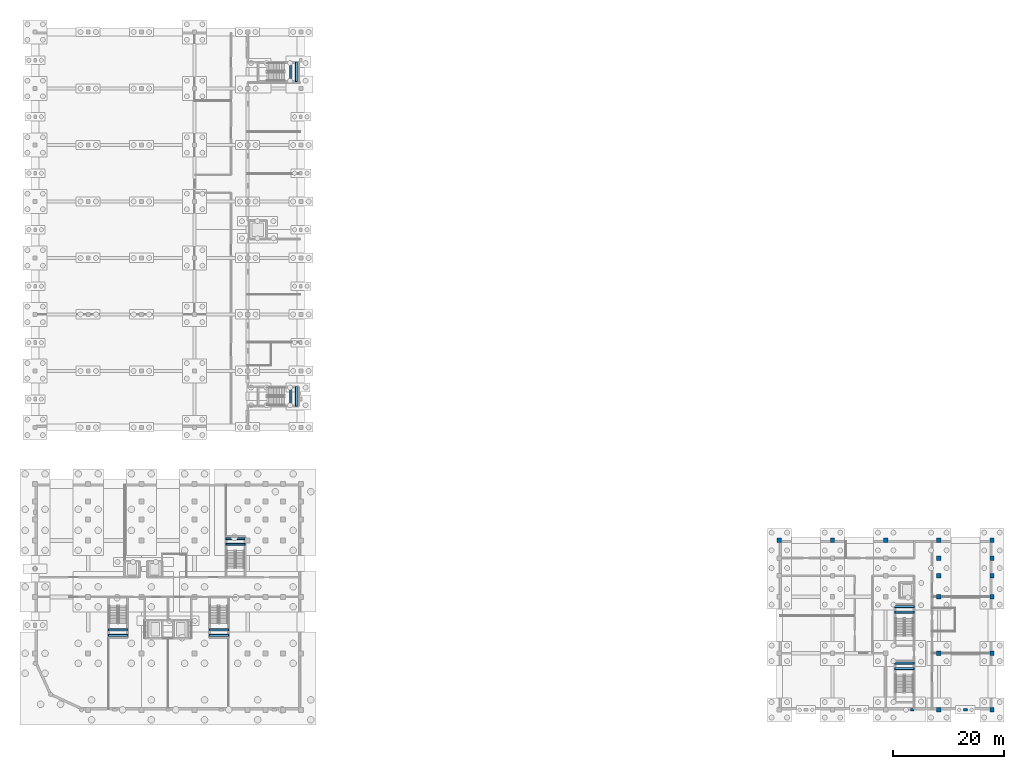
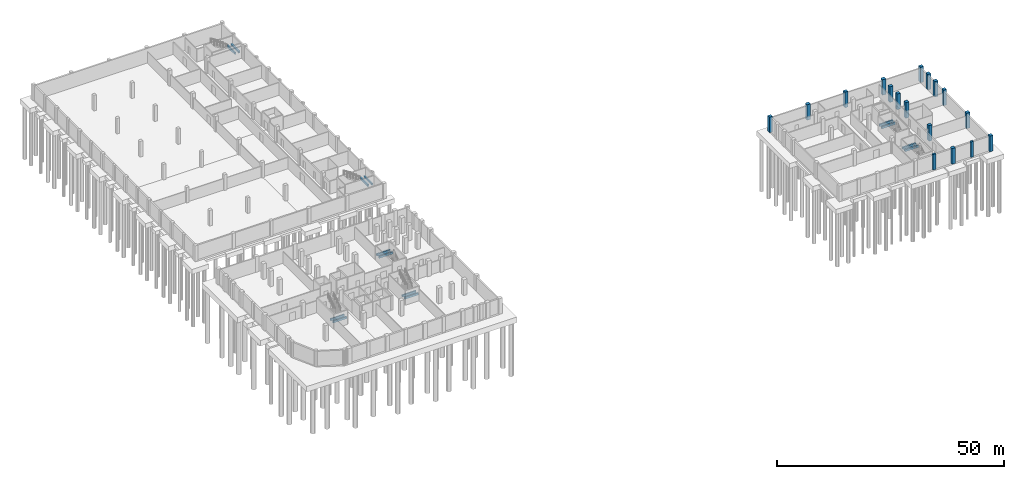
# One storey, part 7 of 18: 17 columns, 14 beams.
"""IFC4 building model written with IfcOpenShell, lengths in metres."""

from ifc_helpers import new_model, si_unit, direction, frame, origin, origin_2d, place, context, subcontext, project, spatial, rectangle, extrude, material, material_profile, profile_set, type_object, element, save


model = new_model("IFC4")

# Units and contexts
model_context = context("Model", 3, precision=1e-05, world=origin(), true_north=direction((0.0, 1.0)))
body_context = subcontext(model_context, "Body", "Model", "MODEL_VIEW")
ifc_project = project(units=[si_unit("LENGTHUNIT", "METRE"), si_unit("AREAUNIT", "SQUARE_METRE"), si_unit("VOLUMEUNIT", "CUBIC_METRE"), si_unit("PLANEANGLEUNIT", "RADIAN"), si_unit("MASSUNIT", "GRAM", prefix="KILO")], contexts=[model_context])

# Site, building, storey
site_placement = place(None, origin())
site = spatial("IfcSite", under=ifc_project, at=site_placement, CompositionType="ELEMENT")
building_placement = place(site_placement, origin())
building = spatial("IfcBuilding", under=site, at=building_placement, Name="Vondelvale Polytechnic", CompositionType="ELEMENT")
storey_placement = place(building_placement, frame((0.0, 0.0, -4.199951171875)))
storey = spatial("IfcBuildingStorey", under=building, at=storey_placement, Name="B1", CompositionType="ELEMENT", Elevation=-4.199951171875)

# Columns
ifc_material_1 = material(Name="Concrete N50 (f'c = 50 MPa)", Category="concrete")
ifc_material_profile_1 = material_profile(ifc_material_1, rectangle(XDim=0.800048828125, YDim=0.800048828125, at=origin_2d()), Name="RC-COL-800x800")
ifc_profile_set_1 = profile_set([ifc_material_profile_1], Name="Concrete N50 (f'c = 50 MPa)")
column_type_1 = type_object("IfcColumnType", Name="COL-RC800", PredefinedType="COLUMN", material=ifc_profile_set_1)
for number, where, z_axis, x_axis, name in (
    (1, (134.39990234375, 30.60009765625, 0.0), (0.0, 0.0, 1.0), (1.0, 0.0, 0.0), "B1 lecture wing column (134.4,30.6)"),
    (2, (144.0, 30.60009765625, 0.0), (0.0, 0.0, 1.0), (1.0, 0.0, 0.0), "B1 lecture wing column (144.0,30.6)"),
    (3, (153.60009765625, 30.60009765625, 0.0), (0.0, 0.0, 1.0), (1.0, 0.0, 0.0), "B1 lecture wing column (153.6,30.6)"),
    (4, (163.199951171875, 0.0, 0.0), (0.0, 0.0, 1.0), (1.0, 0.0, 0.0), "B1 lecture wing column (163.2,0.0)"),
    (5, (163.199951171875, 10.199951171875, 0.0), (0.0, 0.0, 1.0), (1.0, 0.0, 0.0), "B1 lecture wing column (163.2,10.2)"),
    (6, (163.199951171875, 20.39990234375, 0.0), (0.0, 0.0, 1.0), (1.0, 0.0, 0.0), "B1 lecture wing column (163.2,20.4)"),
    (7, (163.199951171875, 24.199951171875, 0.0), (0.0, 0.0, 1.0), (1.0, 0.0, 0.0), "B1 lecture wing column (163.2,24.2)"),
    (8, (163.199951171875, 27.39990234375, 0.0), (0.0, 0.0, 1.0), (1.0, 0.0, 0.0), "B1 lecture wing column (163.2,27.4)"),
    (9, (163.199951171875, 30.60009765625, 0.0), (0.0, 0.0, 1.0), (1.0, 0.0, 0.0), "B1 lecture wing column (163.2,30.6)"),
    (10, (172.800048828125, 0.0, 0.0), (0.0, 0.0, 1.0), (1.0, 0.0, 0.0), "B1 lecture wing column (172.8,0.0)"),
    (11, (172.800048828125, 10.199951171875, 0.0), (0.0, 0.0, 1.0), (1.0, 0.0, 0.0), "B1 lecture wing column (172.8,10.2)"),
    (12, (172.800048828125, 20.39990234375, 0.0), (0.0, 0.0, 1.0), (1.0, 0.0, 0.0), "B1 lecture wing column (172.8,20.4)"),
    (13, (172.800048828125, 24.199951171875, 0.0), (0.0, 0.0, 1.0), (1.0, 0.0, 0.0), "B1 lecture wing column (172.8,24.2)"),
    (14, (172.800048828125, 27.39990234375, 0.0), (0.0, 0.0, 1.0), (1.0, 0.0, 0.0), "B1 lecture wing column (172.8,27.4)"),
    (15, (172.800048828125, 30.60009765625, 0.0), (0.0, 0.0, 1.0), (1.0, 0.0, 0.0), "B1 lecture wing column (172.8,30.6)"),
):
    element("IfcColumn", number, at=place(storey_placement, frame(where, z_axis=z_axis, x_axis=x_axis)), inside=storey, type_object=column_type_1, Name=name, PredefinedType="COLUMN", context=body_context, shape_type="SweptSolid", body=[
        extrude(rectangle(XDim=0.800048828125, YDim=0.800048828125, at=origin_2d()), origin(), (0.0, 0.0, 1.0), 4.199951171875),
    ])
ifc_material_profile_2 = material_profile(ifc_material_1, rectangle(XDim=0.449951171875, YDim=0.699951171875, at=origin_2d()), Name="RC-PIL-700x450")
ifc_profile_set_2 = profile_set([ifc_material_profile_2], Name="Concrete N50 (f'c = 50 MPa)")
column_type_2 = type_object("IfcColumnType", Name="PIL-RC700x450", PredefinedType="PILASTER", material=ifc_profile_set_2)
for number, where, z_axis, x_axis, name in (
    (16, (158.39990234375, 0.0, 0.0), (0.0, 0.0, 1.0), (0.0, 1.0, 0.0), "B1 Lecture wing South brick pilaster 3"),
    (17, (168.0, 0.0, 0.0), (0.0, 0.0, 1.0), (0.0, 1.0, 0.0), "B1 Lecture wing South brick pilaster 4"),
):
    element("IfcColumn", number, at=place(storey_placement, frame(where, z_axis=z_axis, x_axis=x_axis)), inside=storey, type_object=column_type_2, Name=name, PredefinedType="PILASTER", context=body_context, shape_type="SweptSolid", body=[
        extrude(rectangle(XDim=0.449951171875, YDim=0.699951171875, at=origin_2d()), origin(), (0.0, 0.0, 1.0), 4.199951171875),
    ])

# Beams
ifc_material_2 = material(Name="Concrete N40 (f'c = 40 MPa)", Category="concrete")
ifc_material_profile_3 = material_profile(ifc_material_2, rectangle(XDim=0.35009765625, YDim=0.550048828125, at=origin_2d()), Name="RC-BM-350x550")
ifc_profile_set_3 = profile_set([ifc_material_profile_3], Name="Concrete N40 (f'c = 40 MPa)")
beam_type = type_object("IfcBeamType", Name="BM-RC350x550", PredefinedType="BEAM", material=ifc_profile_set_3)
for number, where, z_axis, x_axis, name in (
    (18, (46.199951171875, 54.85009765625, 1.625), (0.0, 1.0, 0.0), (-1.0, 0.0, 0.0), "B1 STLD B-06"),
    (19, (47.199951171875, 54.85009765625, 1.625), (0.0, 1.0, 0.0), (-1.0, 0.0, 0.0), "B1 STLD B-06"),
    (20, (46.199951171875, 113.449951171875, 1.625), (0.0, 1.0, 0.0), (-1.0, 0.0, 0.0), "B1 STLD B-06"),
    (21, (47.199951171875, 113.449951171875, 1.625), (0.0, 1.0, 0.0), (-1.0, 0.0, 0.0), "B1 STLD B-06"),
    (22, (13.25, 14.449951171875, 1.625), (1.0, 0.0, 0.0), (0.0, 1.0, 0.0), "B1 STLD B-06"),
    (23, (13.25, 13.449951171875, 1.625), (1.0, 0.0, 0.0), (0.0, 1.0, 0.0), "B1 STLD B-06"),
    (24, (31.449951171875, 14.449951171875, 1.625), (1.0, 0.0, 0.0), (0.0, 1.0, 0.0), "B1 STLD B-06"),
    (25, (31.449951171875, 13.449951171875, 1.625), (1.0, 0.0, 0.0), (0.0, 1.0, 0.0), "B1 STLD B-06"),
    (26, (37.949951171875, 29.89990234375, 1.625), (-1.0, 0.0, 0.0), (0.0, -1.0, 0.0), "B1 STLD B-06"),
    (27, (37.949951171875, 30.89990234375, 1.625), (-1.0, 0.0, 0.0), (0.0, -1.0, 0.0), "B1 STLD B-06"),
    (28, (158.75, 7.449951171875, 1.625), (-1.0, 0.0, 0.0), (0.0, -1.0, 0.0), "B1 STLD B-06"),
    (29, (158.75, 8.449951171875, 1.625), (-1.0, 0.0, 0.0), (0.0, -1.0, 0.0), "B1 STLD B-06"),
    (30, (158.75, 17.64990234375, 1.625), (-1.0, 0.0, 0.0), (0.0, -1.0, 0.0), "B1 STLD B-06"),
    (31, (158.75, 18.64990234375, 1.625), (-1.0, 0.0, 0.0), (0.0, -1.0, 0.0), "B1 STLD B-06"),
):
    element("IfcBeam", number, at=place(storey_placement, frame(where, z_axis=z_axis, x_axis=x_axis)), inside=storey, type_object=beam_type, Name=name, PredefinedType="BEAM", context=body_context, shape_type="SweptSolid", body=[
        extrude(rectangle(XDim=0.35009765625, YDim=0.550048828125, at=origin_2d()), origin(), (0.0, 0.0, 1.0), 3.5),
    ])

save(model, "model.ifc")
